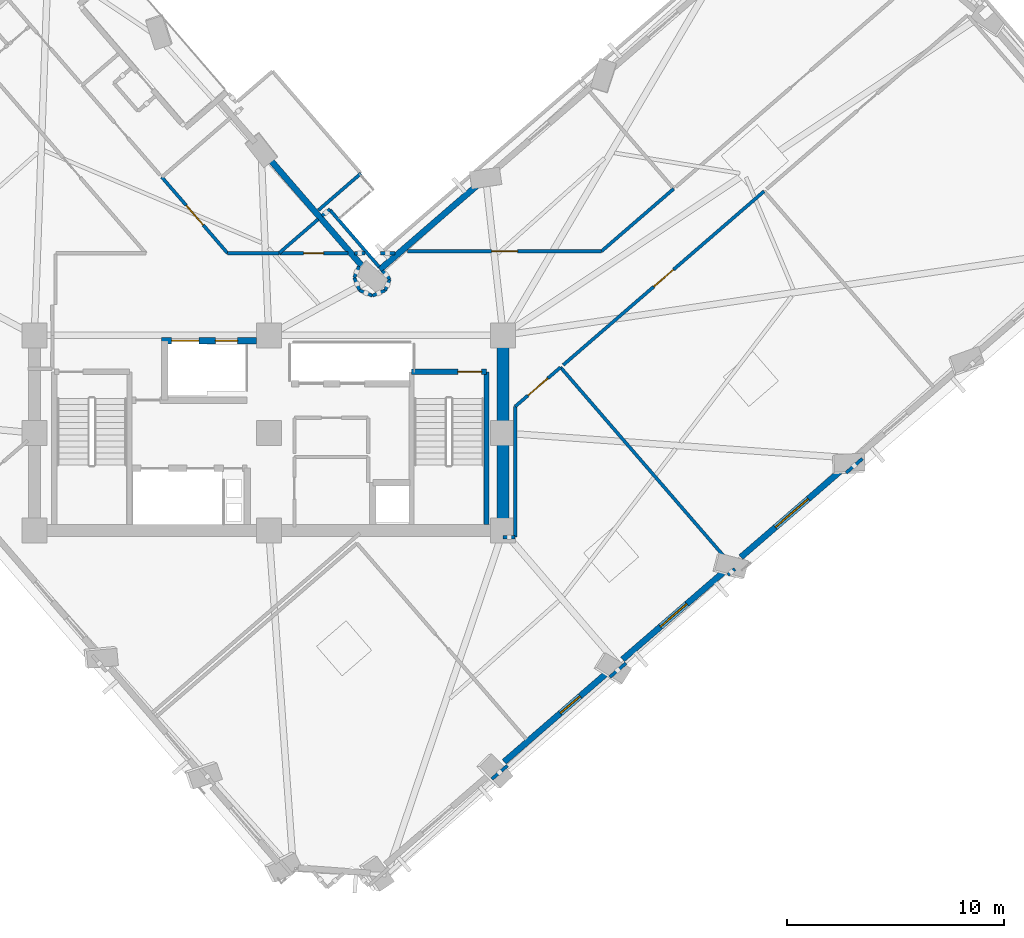
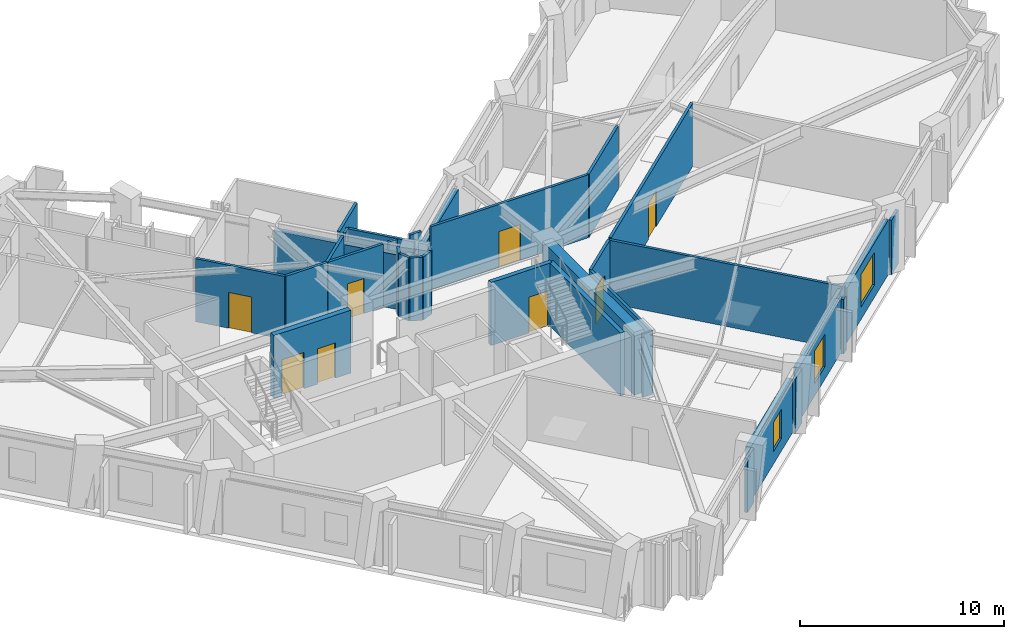
# One storey, part 7 of 14: 35 walls, 8 doors, 3 windows, 11 openings.
"""IFC4 building model written with IfcOpenShell, lengths in metres."""

from ifc_helpers import new_model, si_unit, direction, frame, frame_2d, origin, place, context, subcontext, project, spatial, rectangle, extrude, material, layer, layer_set, type_object, element, fill, save


model = new_model("IFC4")

# Units and contexts
model_context = context("Model", 3, precision=1e-05, world=origin(), true_north=direction((0.0, 1.0)))
body_context = subcontext(model_context, "Body", "Model", "MODEL_VIEW")
ifc_project = project(units=[si_unit("LENGTHUNIT", "METRE"), si_unit("AREAUNIT", "SQUARE_METRE"), si_unit("VOLUMEUNIT", "CUBIC_METRE"), si_unit("PLANEANGLEUNIT", "RADIAN"), si_unit("MASSUNIT", "GRAM", prefix="KILO")], contexts=[model_context])

# Site, building, storey
site_placement = place(None, origin())
site = spatial("IfcSite", under=ifc_project, at=site_placement, CompositionType="ELEMENT")
building_placement = place(site_placement, origin())
building = spatial("IfcBuilding", under=site, at=building_placement, Name="Gaonmaruhae Medical Tower", CompositionType="ELEMENT")
storey_placement = place(building_placement, frame((0.0, 0.0, 197.800048828125)))
storey = spatial("IfcBuildingStorey", under=building, at=storey_placement, Name="L47", CompositionType="ELEMENT", Elevation=197.800048828125)

# Wall
ifc_material_1 = material(Name="Concrete C50/60", Category="concrete")
ifc_layer_1 = layer(ifc_material_1, 0.550048828125)
ifc_layer_set_1 = layer_set([ifc_layer_1], Name="Concrete C50/60")
wall_type_1 = type_object("IfcWallType", Name="CW-550 Mid-High Core Shear Wall", PredefinedType="SHEAR", material=ifc_layer_set_1)
wall_1_placement = place(storey_placement, frame((35.60009765625, 7.800048828125, 0.0), z_axis=(0.0, 0.0, 1.0), x_axis=(0.0, 1.0, 0.0)))
element("IfcWall", 1, at=wall_1_placement, inside=storey, type_object=wall_type_1, Name="L47 Core Shear Wall CSW-E1", PredefinedType="SHEAR", context=body_context, shape_type="SweptSolid", body=[
    extrude(rectangle(XDim=9.0, YDim=0.550048828125, at=frame_2d((4.5, 0.0))), origin(), (0.0, 0.0, 1.0), 3.780029296875),
])

# Wall, opening, window
ifc_material_2 = material(Name="Precast concrete C45/55", Category="concrete")
ifc_layer_2 = layer(ifc_material_2, 0.280029296875)
ifc_layer_set_2 = layer_set([ifc_layer_2], Name="Precast concrete C45/55")
wall_type_2 = type_object("IfcWallType", Name="EW-280 Upper Precast Masonry-Frame Facade Wall", PredefinedType="SOLIDWALL", material=ifc_layer_set_2)
wall_2_placement = place(storey_placement, frame((40.35888671875, 1.229736328125, 0.0), z_axis=(0.0, 0.0, 1.0), x_axis=(-0.756435435004, -0.654068370027, 0.0)))
wall_2 = element("IfcWall", 2, at=wall_2_placement, inside=storey, type_object=wall_type_2, Name="L47 Precast Masonry-Frame Wall S02-S03", PredefinedType="SOLIDWALL", context=body_context, shape_type="SweptSolid", body=[
    extrude(rectangle(XDim=6.234375, YDim=0.280029296875, at=frame_2d((3.1171875, 0.0))), origin(), (0.0, 0.0, 1.0), 3.264892578125),
])
opening_1_placement = place(wall_2_placement, frame((1.60693359375, 0.0, 0.75)))
opening_1 = element("IfcOpeningElement", 3, at=opening_1_placement, cuts=wall_2, Name="Opening WN-05", PredefinedType="OPENING", context=body_context, shape_type="SweptSolid", body=[
    extrude(rectangle(XDim=1.199951171875, YDim=1.75, at=frame_2d((0.60009765625, 0.875))), frame((0.0, 0.14990234375, 0.0), z_axis=(0.0, -1.0, 0.0), x_axis=(1.0, 0.0, 0.0)), (0.0, 0.0, 1.0), 0.300048828125),
])
ifc_material_3 = material(Name="Anodised aluminium and Low-E double glazing", Category="aluminium")
window_type_1 = type_object("IfcWindowType", Name="WN-05 Support & Staff Punched Window 1200x1750", PartitioningType="SINGLE_PANEL", PredefinedType="WINDOW", material=ifc_material_3)
window_1_placement = place(opening_1_placement, origin())
window_1 = element("IfcWindow", 4, at=window_1_placement, inside=storey, type_object=window_type_1, Name="L47 Modular Facade Window S02", OverallHeight=1.75, OverallWidth=1.199951171875, PartitioningType="SINGLE_PANEL", PredefinedType="WINDOW", context=body_context, shape_type="SweptSolid", body=[
    extrude(rectangle(XDim=1.199951171875, YDim=1.75, at=frame_2d((0.60009765625, 0.875))), frame((0.0, 0.030029296875, 0.0), z_axis=(0.0, -1.0, 0.0), x_axis=(1.0, 0.0, 0.0)), (0.0, 0.0, 1.0), 0.06005859375),
])
fill(opening_1, window_1)

wall_3_placement = place(storey_placement, frame((45.800048828125, 5.9345703125, 0.0), z_axis=(0.0, 0.0, 1.0), x_axis=(-0.756443022553, -0.654059594862, 0.0)))
wall_3 = element("IfcWall", 5, at=wall_3_placement, inside=storey, type_object=wall_type_2, Name="L47 Precast Masonry-Frame Wall S03-S04", PredefinedType="SOLIDWALL", context=body_context, shape_type="SweptSolid", body=[
    extrude(rectangle(XDim=6.214111328125, YDim=0.280029296875, at=frame_2d((3.10693359375, 0.0))), origin(), (0.0, 0.0, 1.0), 3.264892578125),
])
opening_2_placement = place(wall_3_placement, frame((2.3056640625, 0.0, 0.75)))
opening_2 = element("IfcOpeningElement", 6, at=opening_2_placement, cuts=wall_3, Name="Opening WN-01", PredefinedType="OPENING", context=body_context, shape_type="SweptSolid", body=[
    extrude(rectangle(XDim=1.60009765625, YDim=1.949951171875, at=frame_2d((0.800048828125, 0.97509765625))), frame((0.0, 0.14990234375, 0.0), z_axis=(0.0, -1.0, 0.0), x_axis=(1.0, 0.0, 0.0)), (0.0, 0.0, 1.0), 0.300048828125),
])
window_type_2 = type_object("IfcWindowType", Name="WN-01 Ward Punched Acoustic Window 1600x1950", PartitioningType="SINGLE_PANEL", PredefinedType="WINDOW", material=ifc_material_3)
window_2_placement = place(opening_2_placement, origin())
window_2 = element("IfcWindow", 7, at=window_2_placement, inside=storey, type_object=window_type_2, Name="L47 Modular Facade Window S03", OverallHeight=1.949951171875, OverallWidth=1.60009765625, PartitioningType="SINGLE_PANEL", PredefinedType="WINDOW", context=body_context, shape_type="SweptSolid", body=[
    extrude(rectangle(XDim=1.60009765625, YDim=1.949951171875, at=frame_2d((0.800048828125, 0.97509765625))), frame((0.0, 0.030029296875, 0.0), z_axis=(0.0, -1.0, 0.0), x_axis=(1.0, 0.0, 0.0)), (0.0, 0.0, 1.0), 0.06005859375),
])
fill(opening_2, window_2)

wall_4_placement = place(storey_placement, frame((51.24658203125, 10.644287109375, 0.0), z_axis=(0.0, 0.0, 1.0), x_axis=(-0.756429422083, -0.654075323955, 0.0)))
wall_4 = element("IfcWall", 8, at=wall_4_placement, inside=storey, type_object=wall_type_2, Name="L47 Precast Masonry-Frame Wall S04-S05", PredefinedType="SOLIDWALL", context=body_context, shape_type="SweptSolid", body=[
    extrude(rectangle(XDim=6.208740234375, YDim=0.280029296875, at=frame_2d((3.1044921875, 0.0))), origin(), (0.0, 0.0, 1.0), 3.264892578125),
])
opening_3_placement = place(wall_4_placement, frame((2.104736328125, 0.0, 0.75)))
opening_3 = element("IfcOpeningElement", 9, at=opening_3_placement, cuts=wall_4, Name="Opening WN-02", PredefinedType="OPENING", context=body_context, shape_type="SweptSolid", body=[
    extrude(rectangle(XDim=2.0, YDim=1.949951171875, at=frame_2d((1.0, 0.97509765625))), frame((0.0, 0.14990234375, 0.0), z_axis=(0.0, -1.0, 0.0), x_axis=(1.0, 0.0, 0.0)), (0.0, 0.0, 1.0), 0.300048828125),
])
window_type_3 = type_object("IfcWindowType", Name="WN-02 Double-Bed Ward Punched Window 2000x1950", PartitioningType="SINGLE_PANEL", PredefinedType="WINDOW", material=ifc_material_3)
window_3_placement = place(opening_3_placement, origin())
window_3 = element("IfcWindow", 10, at=window_3_placement, inside=storey, type_object=window_type_3, Name="L47 Modular Facade Window S04", OverallHeight=1.949951171875, OverallWidth=2.0, PartitioningType="SINGLE_PANEL", PredefinedType="WINDOW", context=body_context, shape_type="SweptSolid", body=[
    extrude(rectangle(XDim=2.0, YDim=1.949951171875, at=frame_2d((1.0, 0.97509765625))), frame((0.0, 0.030029296875, 0.0), z_axis=(0.0, -1.0, 0.0), x_axis=(1.0, 0.0, 0.0)), (0.0, 0.0, 1.0), 0.06005859375),
])
fill(opening_3, window_3)

# Walls
wall_5_placement = place(storey_placement, frame((29.910400390625, 19.82470703125, 0.0), z_axis=(0.0, 0.0, 1.0), x_axis=(0.756415755537, 0.6540911288, 0.0)))
element("IfcWall", 11, at=wall_5_placement, inside=storey, type_object=wall_type_2, Name="L47 Precast Masonry-Frame Wall EN03-KN01", PredefinedType="SOLIDWALL", context=body_context, shape_type="SweptSolid", body=[
    extrude(rectangle(XDim=5.960205078125, YDim=0.280029296875, at=frame_2d((2.97998046875, 0.0))), origin(), (0.0, 0.0, 1.0), 3.06494140625),
])
wall_6_placement = place(storey_placement, frame((29.239501953125, 19.828857421875, 0.0), z_axis=(0.0, 0.0, 1.0), x_axis=(-0.654095531107, 0.756411948733, 0.0)))
element("IfcWall", 12, at=wall_6_placement, inside=storey, type_object=wall_type_2, Name="L47 Precast Masonry-Frame Wall KN01-NE01", PredefinedType="SOLIDWALL", context=body_context, shape_type="SweptSolid", body=[
    extrude(rectangle(XDim=6.760009765625, YDim=0.280029296875, at=frame_2d((3.3798828125, 0.0))), origin(), (0.0, 0.0, 1.0), 3.264892578125),
])
ifc_material_4 = material(Name="Gypsum board partition", Category="gypsum")
ifc_layer_3 = layer(ifc_material_4, 0.14990234375)
ifc_layer_set_3 = layer_set([ifc_layer_3], Name="Gypsum board partition")
wall_type_3 = type_object("IfcWallType", Name="PW-150 Rated Clinical Corridor Partition", PredefinedType="PARTITIONING", material=ifc_layer_set_3)
wall_7_placement = place(storey_placement, frame((35.79296875, -3.02197265625, 0.0), z_axis=(0.0, 0.0, 1.0), x_axis=(-0.756239540335, -0.654294855271, 0.0)))
element("IfcWall", 13, at=wall_7_placement, inside=storey, type_object=wall_type_3, Name="L47 Interior Partition L47-SUP01-12", PredefinedType="PARTITIONING", context=body_context, shape_type="SweptSolid", body=[
    extrude(rectangle(XDim=0.95068359375, YDim=0.14990234375, at=frame_2d((0.475341796875, 0.0))), origin(), (0.0, 0.0, 1.0), 3.264892578125),
])

# Wall, opening, door
wall_8_placement = place(storey_placement, frame((36.14990234375, 13.52001953125, 0.0), z_axis=(0.0, 0.0, 1.0), x_axis=(0.756475362734, 0.654022190431, 0.0)))
wall_8 = element("IfcWall", 14, at=wall_8_placement, inside=storey, type_object=wall_type_3, Name="L47 Interior Partition L47-SUP02-16", PredefinedType="PARTITIONING", context=body_context, shape_type="SweptSolid", body=[
    extrude(rectangle(XDim=2.76416015625, YDim=0.14990234375, at=frame_2d((1.382080078125, 0.0))), origin(), (0.0, 0.0, 1.0), 3.780029296875),
])
opening_4_placement = place(wall_8_placement, frame((0.781982421875, 0.0, 0.0)))
opening_4 = element("IfcOpeningElement", 15, at=opening_4_placement, cuts=wall_8, Name="Opening CD-02", PredefinedType="OPENING", context=body_context, shape_type="SweptSolid", body=[
    extrude(rectangle(XDim=1.199951171875, YDim=2.14990234375, at=frame_2d((0.60009765625, 1.074951171875))), frame((0.0, 0.0849609375, 0.0), z_axis=(0.0, -1.0, 0.0), x_axis=(1.0, 0.0, 0.0)), (0.0, 0.0, 1.0), 0.169921875),
])
ifc_material_5 = material(Name="Antimicrobial laminate timber fire door", Category="wood")
door_type_1 = type_object("IfcDoorType", Name="CD-02 Clinical Treatment & Procedure Door 1200x2150", OperationType="NOTDEFINED", PredefinedType="DOOR", material=ifc_material_5)
door_1_placement = place(opening_4_placement, origin())
door_1 = element("IfcDoor", 16, at=door_1_placement, inside=storey, type_object=door_type_1, Name="L47 Clinical Biomedical Charting Office Door", OperationType="SINGLE_SWING_RIGHT", OverallHeight=2.14990234375, OverallWidth=1.199951171875, PredefinedType="DOOR", context=body_context, shape_type="SweptSolid", body=[
    extrude(rectangle(XDim=1.199951171875, YDim=2.14990234375, at=frame_2d((0.60009765625, 1.074951171875))), frame((0.0, 0.02490234375, 0.0), z_axis=(0.0, -1.0, 0.0), x_axis=(1.0, 0.0, 0.0)), (0.0, 0.0, 1.0), 0.050048828125),
])
fill(opening_4, door_1)

# Walls
wall_9_placement = place(storey_placement, frame((38.240966796875, 15.327880859375, 0.0), z_axis=(0.0, 0.0, 1.0), x_axis=(0.654077846069, -0.756427241235, 0.0)))
element("IfcWall", 17, at=wall_9_placement, inside=storey, type_object=wall_type_3, Name="L47 Interior Partition L47-SUP02-17", PredefinedType="PARTITIONING", context=body_context, shape_type="SweptSolid", body=[
    extrude(rectangle(XDim=12.27978515625, YDim=0.14990234375, at=frame_2d((6.139892578125, 0.0))), origin(), (0.0, 0.0, 1.0), 3.780029296875),
])
wall_10_placement = place(storey_placement, frame((46.27294921875, 6.0390625, 0.0), z_axis=(0.0, 0.0, 1.0), x_axis=(-0.755726890706, -0.654886911355, 0.0)))
element("IfcWall", 18, at=wall_10_placement, inside=storey, type_object=wall_type_3, Name="L47 Interior Partition L47-SUP02-18", PredefinedType="PARTITIONING", context=body_context, shape_type="SweptSolid", body=[
    extrude(rectangle(XDim=0.426025390625, YDim=0.14990234375, at=frame_2d((0.212890625, 0.0))), origin(), (0.0, 0.0, 1.0), 3.264892578125),
])
wall_11_placement = place(storey_placement, frame((41.25, 1.696044921875, 0.0), z_axis=(0.0, 0.0, 1.0), x_axis=(-0.756223213208, -0.654313725827, 0.0)))
element("IfcWall", 19, at=wall_11_placement, inside=storey, type_object=wall_type_3, Name="L47 Interior Partition L47-SUP02-19", PredefinedType="PARTITIONING", context=body_context, shape_type="SweptSolid", body=[
    extrude(rectangle(XDim=0.979736328125, YDim=0.14990234375, at=frame_2d((0.48974609375, 0.0))), origin(), (0.0, 0.0, 1.0), 3.264892578125),
])
wall_12_placement = place(storey_placement, frame((35.60009765625, 7.5, 0.0), z_axis=(0.0, 0.0, 1.0), x_axis=(1.0, 0.0, 0.0)))
element("IfcWall", 20, at=wall_12_placement, inside=storey, type_object=wall_type_3, Name="L47 Interior Partition L47-SUP02-20", PredefinedType="PARTITIONING", context=body_context, shape_type="SweptSolid", body=[
    extrude(rectangle(XDim=0.5498046875, YDim=0.14990234375, at=frame_2d((0.27490234375, 0.0))), origin(), (0.0, 0.0, 1.0), 3.780029296875),
])
wall_13_placement = place(storey_placement, frame((36.14990234375, 7.5, 0.0), z_axis=(0.0, 0.0, 1.0), x_axis=(0.0, 1.0, 0.0)))
element("IfcWall", 21, at=wall_13_placement, inside=storey, type_object=wall_type_3, Name="L47 Interior Partition L47-SUP02-21", PredefinedType="PARTITIONING", context=body_context, shape_type="SweptSolid", body=[
    extrude(rectangle(XDim=6.02001953125, YDim=0.14990234375, at=frame_2d((3.010009765625, 0.0))), origin(), (0.0, 0.0, 1.0), 3.780029296875),
])

# Wall, opening, door
wall_14_placement = place(storey_placement, frame((38.362060546875, 15.43310546875, 0.0), z_axis=(0.0, 0.0, 1.0), x_axis=(0.756407982528, 0.654100117694, 0.0)))
wall_14 = element("IfcWall", 22, at=wall_14_placement, inside=storey, type_object=wall_type_3, Name="L47 Interior Partition L47-SUP03-22", PredefinedType="PARTITIONING", context=body_context, shape_type="SweptSolid", body=[
    extrude(rectangle(XDim=12.239501953125, YDim=0.14990234375, at=frame_2d((6.11962890625, 0.0))), origin(), (0.0, 0.0, 1.0), 3.780029296875),
])
opening_5_placement = place(wall_14_placement, frame((5.519775390625, 0.0, 0.0)))
opening_5 = element("IfcOpeningElement", 23, at=opening_5_placement, cuts=wall_14, Name="Opening CD-02", PredefinedType="OPENING", context=body_context, shape_type="SweptSolid", body=[
    extrude(rectangle(XDim=1.199951171875, YDim=2.14990234375, at=frame_2d((0.60009765625, 1.074951171875))), frame((0.0, 0.0849609375, 0.0), z_axis=(0.0, -1.0, 0.0), x_axis=(1.0, 0.0, 0.0)), (0.0, 0.0, 1.0), 0.169921875),
])
door_2_placement = place(opening_5_placement, origin())
door_2 = element("IfcDoor", 24, at=door_2_placement, inside=storey, type_object=door_type_1, Name="L47 Clinical Biomedical Charting Office Door", OperationType="SINGLE_SWING_LEFT", OverallHeight=2.14990234375, OverallWidth=1.199951171875, PredefinedType="DOOR", context=body_context, shape_type="SweptSolid", body=[
    extrude(rectangle(XDim=1.199951171875, YDim=2.14990234375, at=frame_2d((0.60009765625, 1.074951171875))), frame((0.0, 0.02490234375, 0.0), z_axis=(0.0, -1.0, 0.0), x_axis=(1.0, 0.0, 0.0)), (0.0, 0.0, 1.0), 0.050048828125),
])
fill(opening_5, door_2)

# Walls
wall_15_placement = place(storey_placement, frame((52.14501953125, 11.117919921875, 0.0), z_axis=(0.0, 0.0, 1.0), x_axis=(-0.755868126294, -0.654723892685, 0.0)))
element("IfcWall", 25, at=wall_15_placement, inside=storey, type_object=wall_type_3, Name="L47 Interior Partition L47-SUP03-24", PredefinedType="PARTITIONING", context=body_context, shape_type="SweptSolid", body=[
    extrude(rectangle(XDim=0.98974609375, YDim=0.14990234375, at=frame_2d((0.494873046875, 0.0))), origin(), (0.0, 0.0, 1.0), 3.264892578125),
])
wall_16_placement = place(storey_placement, frame((30.60791015625, 20.580078125, 0.0), z_axis=(0.0, 0.0, 1.0), x_axis=(-1.0, 0.0, 0.0)))
element("IfcWall", 26, at=wall_16_placement, inside=storey, type_object=wall_type_3, Name="L47 Interior Partition L47-IE01-46", PredefinedType="PARTITIONING", context=body_context, shape_type="SweptSolid", body=[
    extrude(rectangle(XDim=0.664794921875, YDim=0.14990234375, at=frame_2d((0.33251953125, 0.0))), origin(), (0.0, 0.0, 1.0), 3.780029296875),
])
wall_17_placement = place(storey_placement, frame((43.4560546875, 23.552978515625, 0.0), z_axis=(0.0, 0.0, 1.0), x_axis=(-0.75636911902, -0.654145057149, 0.0)))
element("IfcWall", 27, at=wall_17_placement, inside=storey, type_object=wall_type_3, Name="L47 Interior Partition L47-IE01-50", PredefinedType="PARTITIONING", context=body_context, shape_type="SweptSolid", body=[
    extrude(rectangle(XDim=4.39208984375, YDim=0.14990234375, at=frame_2d((2.196044921875, 0.0))), origin(), (0.0, 0.0, 1.0), 3.780029296875),
])

# Wall, opening, door
wall_18_placement = place(storey_placement, frame((40.134033203125, 20.679931640625, 0.0), z_axis=(0.0, 0.0, 1.0), x_axis=(-1.0, 0.0, 0.0)))
wall_18 = element("IfcWall", 28, at=wall_18_placement, inside=storey, type_object=wall_type_3, Name="L47 Interior Partition L47-IE01-51", PredefinedType="PARTITIONING", context=body_context, shape_type="SweptSolid", body=[
    extrude(rectangle(XDim=8.93701171875, YDim=0.14990234375, at=frame_2d((4.468505859375, 0.0))), origin(), (0.0, 0.0, 1.0), 3.780029296875),
])
opening_6_placement = place(wall_18_placement, frame((3.868408203125, 0.0, 0.0)))
opening_6 = element("IfcOpeningElement", 29, at=opening_6_placement, cuts=wall_18, Name="Opening CD-02", PredefinedType="OPENING", context=body_context, shape_type="SweptSolid", body=[
    extrude(rectangle(XDim=1.199951171875, YDim=2.14990234375, at=frame_2d((0.60009765625, 1.074951171875))), frame((0.0, 0.0849609375, 0.0), z_axis=(0.0, -1.0, 0.0), x_axis=(1.0, 0.0, 0.0)), (0.0, 0.0, 1.0), 0.169921875),
])
door_3_placement = place(opening_6_placement, origin())
door_3 = element("IfcDoor", 30, at=door_3_placement, inside=storey, type_object=door_type_1, Name="L47 Central Clinical Nurse Station Door", OperationType="SINGLE_SWING_LEFT", OverallHeight=2.14990234375, OverallWidth=1.199951171875, PredefinedType="DOOR", context=body_context, shape_type="SweptSolid", body=[
    extrude(rectangle(XDim=1.199951171875, YDim=2.14990234375, at=frame_2d((0.60009765625, 1.074951171875))), frame((0.0, 0.02490234375, 0.0), z_axis=(0.0, -1.0, 0.0), x_axis=(1.0, 0.0, 0.0)), (0.0, 0.0, 1.0), 0.050048828125),
])
fill(opening_6, door_3)

# Walls
wall_19_placement = place(storey_placement, frame((27.62109375, 22.617919921875, 0.0), z_axis=(0.0, 0.0, 1.0), x_axis=(-0.75704932423, -0.653357727959, 0.0)))
element("IfcWall", 31, at=wall_19_placement, inside=storey, type_object=wall_type_3, Name="L47 Interior Partition L47-IN01-61", PredefinedType="PARTITIONING", context=body_context, shape_type="SweptSolid", body=[
    extrude(rectangle(XDim=0.485107421875, YDim=0.14990234375, at=frame_2d((0.24267578125, 0.0))), origin(), (0.0, 0.0, 1.0), 3.780029296875),
])
wall_20_placement = place(storey_placement, frame((27.080078125, 22.14990234375, 0.0), z_axis=(0.0, 0.0, 1.0), x_axis=(-0.756550817831, -0.653934905048, 0.0)))
element("IfcWall", 32, at=wall_20_placement, inside=storey, type_object=wall_type_3, Name="L47 Interior Partition L47-IN01-62", PredefinedType="PARTITIONING", context=body_context, shape_type="SweptSolid", body=[
    extrude(rectangle(XDim=2.400634765625, YDim=0.14990234375, at=frame_2d((1.2001953125, 0.0))), origin(), (0.0, 0.0, 1.0), 3.780029296875),
])
wall_21_placement = place(storey_placement, frame((25.263916015625, 20.580078125, 0.0), z_axis=(0.0, 0.0, 1.0), x_axis=(-1.0, 0.0, 0.0)))
element("IfcWall", 33, at=wall_21_placement, inside=storey, type_object=wall_type_3, Name="L47 Interior Partition L47-IN01-63", PredefinedType="PARTITIONING", context=body_context, shape_type="SweptSolid", body=[
    extrude(rectangle(XDim=2.35888671875, YDim=0.14990234375, at=frame_2d((1.179443359375, 0.0))), origin(), (0.0, 0.0, 1.0), 3.780029296875),
])

# Wall, opening, door
wall_22_placement = place(storey_placement, frame((22.905029296875, 20.580078125, 0.0), z_axis=(0.0, 0.0, 1.0), x_axis=(-0.654154375425, 0.756361060018, 0.0)))
wall_22 = element("IfcWall", 34, at=wall_22_placement, inside=storey, type_object=wall_type_3, Name="L47 Interior Partition L47-IN01-64", PredefinedType="PARTITIONING", context=body_context, shape_type="SweptSolid", body=[
    extrude(rectangle(XDim=4.636474609375, YDim=0.14990234375, at=frame_2d((2.318359375, 0.0))), origin(), (0.0, 0.0, 1.0), 3.780029296875),
])
opening_7_placement = place(wall_22_placement, frame((1.71826171875, 0.0, 0.0)))
opening_7 = element("IfcOpeningElement", 35, at=opening_7_placement, cuts=wall_22, Name="Opening CD-02", PredefinedType="OPENING", context=body_context, shape_type="SweptSolid", body=[
    extrude(rectangle(XDim=1.199951171875, YDim=2.14990234375, at=frame_2d((0.60009765625, 1.074951171875))), frame((0.0, 0.0849609375, 0.0), z_axis=(0.0, -1.0, 0.0), x_axis=(1.0, 0.0, 0.0)), (0.0, 0.0, 1.0), 0.169921875),
])
door_4_placement = place(opening_7_placement, origin())
door_4 = element("IfcDoor", 36, at=door_4_placement, inside=storey, type_object=door_type_1, Name="L47 Physician Consultation Office Door", OperationType="SINGLE_SWING_LEFT", OverallHeight=2.14990234375, OverallWidth=1.199951171875, PredefinedType="DOOR", context=body_context, shape_type="SweptSolid", body=[
    extrude(rectangle(XDim=1.199951171875, YDim=2.14990234375, at=frame_2d((0.60009765625, 1.074951171875))), frame((0.0, 0.02490234375, 0.0), z_axis=(0.0, -1.0, 0.0), x_axis=(1.0, 0.0, 0.0)), (0.0, 0.0, 1.0), 0.050048828125),
])
fill(opening_7, door_4)

# Walls
wall_23_placement = place(storey_placement, frame((27.611083984375, 22.5830078125, 0.0), z_axis=(0.0, 0.0, 1.0), x_axis=(0.654036787696, -0.756462742203, 0.0)))
element("IfcWall", 37, at=wall_23_placement, inside=storey, type_object=wall_type_3, Name="L47 Interior Partition L47-RM03-81", PredefinedType="PARTITIONING", context=body_context, shape_type="SweptSolid", body=[
    extrude(rectangle(XDim=3.475341796875, YDim=0.14990234375, at=frame_2d((1.73779296875, 0.0))), origin(), (0.0, 0.0, 1.0), 3.780029296875),
])
wall_24_placement = place(storey_placement, frame((30.033935546875, 19.780029296875, 0.0), z_axis=(0.0, 0.0, 1.0), x_axis=(0.654448859081, -0.756106269547, 0.0)))
element("IfcWall", 38, at=wall_24_placement, inside=storey, type_object=wall_type_3, Name="L47 Interior Partition L47-RM03-82", PredefinedType="PARTITIONING", context=body_context, shape_type="SweptSolid", body=[
    extrude(rectangle(XDim=0.521240234375, YDim=0.14990234375, at=frame_2d((0.2607421875, 0.0))), origin(), (0.0, 0.0, 1.0), 3.780029296875),
])
wall_25_placement = place(storey_placement, frame((30.375, 19.385986328125, 0.0), z_axis=(0.0, 0.0, 1.0), x_axis=(-0.382713570591, -0.923867048273, 0.0)))
element("IfcWall", 39, at=wall_25_placement, inside=storey, type_object=wall_type_3, Name="L47 Interior Partition L47-RM03-83", PredefinedType="PARTITIONING", context=body_context, shape_type="SweptSolid", body=[
    extrude(rectangle(XDim=0.55615234375, YDim=0.14990234375, at=frame_2d((0.278076171875, 0.0))), origin(), (0.0, 0.0, 1.0), 3.780029296875),
])
wall_26_placement = place(storey_placement, frame((30.162109375, 18.8720703125, 0.0), z_axis=(0.0, 0.0, 1.0), x_axis=(-0.92326925104, -0.384153472045, 0.0)))
element("IfcWall", 40, at=wall_26_placement, inside=storey, type_object=wall_type_3, Name="L47 Interior Partition L47-RM03-84", PredefinedType="PARTITIONING", context=body_context, shape_type="SweptSolid", body=[
    extrude(rectangle(XDim=0.63818359375, YDim=0.14990234375, at=frame_2d((0.319091796875, 0.0))), origin(), (0.0, 0.0, 1.0), 3.780029296875),
])
wall_27_placement = place(storey_placement, frame((29.572998046875, 18.626953125, 0.0), z_axis=(0.0, 0.0, 1.0), x_axis=(-0.923494633817, 0.383611341478, 0.0)))
element("IfcWall", 41, at=wall_27_placement, inside=storey, type_object=wall_type_3, Name="L47 Interior Partition L47-RM03-85", PredefinedType="PARTITIONING", context=body_context, shape_type="SweptSolid", body=[
    extrude(rectangle(XDim=0.638916015625, YDim=0.14990234375, at=frame_2d((0.3193359375, 0.0))), origin(), (0.0, 0.0, 1.0), 3.780029296875),
])
wall_28_placement = place(storey_placement, frame((28.98291015625, 18.8720703125, 0.0), z_axis=(0.0, 0.0, 1.0), x_axis=(-0.382656259044, 0.923890787601, 0.0)))
element("IfcWall", 42, at=wall_28_placement, inside=storey, type_object=wall_type_3, Name="L47 Interior Partition L47-RM03-86", PredefinedType="PARTITIONING", context=body_context, shape_type="SweptSolid", body=[
    extrude(rectangle(XDim=0.637451171875, YDim=0.14990234375, at=frame_2d((0.31884765625, 0.0))), origin(), (0.0, 0.0, 1.0), 3.780029296875),
])
wall_29_placement = place(storey_placement, frame((28.739013671875, 19.4609375, 0.0), z_axis=(0.0, 0.0, 1.0), x_axis=(0.383078082641, 0.923715964244, 0.0)))
element("IfcWall", 43, at=wall_29_placement, inside=storey, type_object=wall_type_3, Name="L47 Interior Partition L47-RM03-87", PredefinedType="PARTITIONING", context=body_context, shape_type="SweptSolid", body=[
    extrude(rectangle(XDim=0.56396484375, YDim=0.14990234375, at=frame_2d((0.281982421875, 0.0))), origin(), (0.0, 0.0, 1.0), 3.780029296875),
])
wall_30_placement = place(storey_placement, frame((29.23388671875, 20.577880859375, 0.0), z_axis=(0.0, 0.0, 1.0), x_axis=(-1.0, 0.0, 0.0)))
element("IfcWall", 44, at=wall_30_placement, inside=storey, type_object=wall_type_3, Name="L47 Interior Partition L47-RM03-88", PredefinedType="PARTITIONING", context=body_context, shape_type="SweptSolid", body=[
    extrude(rectangle(XDim=0.490966796875, YDim=0.14990234375, at=frame_2d((0.24560546875, 0.0))), origin(), (0.0, 0.0, 1.0), 3.780029296875),
])

# Wall, opening, door
wall_31_placement = place(storey_placement, frame((28.43896484375, 20.577880859375, 0.0), z_axis=(0.0, 0.0, 1.0), x_axis=(-0.999999755793, 0.000698866113, 0.0)))
wall_31 = element("IfcWall", 45, at=wall_31_placement, inside=storey, type_object=wall_type_3, Name="L47 Interior Partition L47-RM03-89", PredefinedType="PARTITIONING", context=body_context, shape_type="SweptSolid", body=[
    extrude(rectangle(XDim=3.14404296875, YDim=0.14990234375, at=frame_2d((1.572021484375, 0.0))), origin(), (0.0, 0.0, 1.0), 3.780029296875),
])
opening_8_placement = place(wall_31_placement, frame((1.112060546875, 0.0, 0.0)))
opening_8 = element("IfcOpeningElement", 46, at=opening_8_placement, cuts=wall_31, Name="Opening UD-01", PredefinedType="OPENING", context=body_context, shape_type="SweptSolid", body=[
    extrude(rectangle(XDim=0.919921875, YDim=2.10009765625, at=frame_2d((0.4599609375, 1.050048828125))), frame((0.0, 0.0849609375, 0.0), z_axis=(0.0, -1.0, 0.0), x_axis=(1.0, 0.0, 0.0)), (0.0, 0.0, 1.0), 0.169921875),
])
ifc_material_6 = material(Name="Powder-coated steel utility door", Category="steel")
door_type_2 = type_object("IfcDoorType", Name="UD-01 Toilet, Utility & Housekeeping Door 920x2100", OperationType="NOTDEFINED", PredefinedType="DOOR", material=ifc_material_6)
door_5_placement = place(opening_8_placement, origin())
door_5 = element("IfcDoor", 47, at=door_5_placement, inside=storey, type_object=door_type_2, Name="L47 Biomedical Mobile Equipment Bay Door", OperationType="SINGLE_SWING_LEFT", OverallHeight=2.10009765625, OverallWidth=0.919921875, PredefinedType="DOOR", context=body_context, shape_type="SweptSolid", body=[
    extrude(rectangle(XDim=0.919921875, YDim=2.10009765625, at=frame_2d((0.4599609375, 1.050048828125))), frame((0.0, 0.02490234375, 0.0), z_axis=(0.0, -1.0, 0.0), x_axis=(1.0, 0.0, 0.0)), (0.0, 0.0, 1.0), 0.050048828125),
])
fill(opening_8, door_5)

# Wall
wall_32_placement = place(storey_placement, frame((29.044921875, 24.259033203125, 0.0), z_axis=(0.0, 0.0, 1.0), x_axis=(-0.756369471886, -0.654144649141, 0.0)))
element("IfcWall", 48, at=wall_32_placement, inside=storey, type_object=wall_type_3, Name="L47 Interior Partition L47-RM05-92", PredefinedType="PARTITIONING", context=body_context, shape_type="SweptSolid", body=[
    extrude(rectangle(XDim=2.59130859375, YDim=0.14990234375, at=frame_2d((1.295654296875, 0.0))), origin(), (0.0, 0.0, 1.0), 3.780029296875),
])

# Wall, opening, door
ifc_layer_4 = layer(ifc_material_1, 0.239990234375)
ifc_layer_set_4 = layer_set([ifc_layer_4], Name="Concrete C50/60")
wall_type_4 = type_object("IfcWallType", Name="SW-240 Dogleg Stair Tight Shaft Wall", PredefinedType="SOLIDWALL", material=ifc_layer_set_4)
wall_33_placement = place(storey_placement, frame((31.3701171875, 15.1201171875, 0.0), z_axis=(0.0, 0.0, 1.0), x_axis=(1.0, 0.0, 0.0)))
wall_33 = element("IfcWall", 49, at=wall_33_placement, inside=storey, type_object=wall_type_4, Name="L47 ST-02 Stair Shaft Wall SHW-ST-02-N", PredefinedType="SOLIDWALL", context=body_context, shape_type="SweptSolid", body=[
    extrude(rectangle(XDim=3.4599609375, YDim=0.239990234375, at=frame_2d((1.72998046875, 0.0))), origin(), (0.0, 0.0, 1.0), 3.780029296875),
])
opening_9_placement = place(wall_33_placement, frame((2.139892578125, 0.0, 0.0)))
opening_9 = element("IfcOpeningElement", 50, at=opening_9_placement, cuts=wall_33, Name="Opening FD-01", PredefinedType="OPENING", context=body_context, shape_type="SweptSolid", body=[
    extrude(rectangle(XDim=1.10009765625, YDim=2.14990234375, at=frame_2d((0.550048828125, 1.074951171875))), frame((0.0, 0.1298828125, 0.0), z_axis=(0.0, -1.0, 0.0), x_axis=(1.0, 0.0, 0.0)), (0.0, 0.0, 1.0), 0.260009765625),
])
ifc_material_7 = material(Name="Powder-coated steel fire door", Category="steel")
door_type_3 = type_object("IfcDoorType", Name="FD-01 Escape Stair Protected Fire Door 1100x2150", OperationType="NOTDEFINED", PredefinedType="DOOR", material=ifc_material_7)
door_6_placement = place(opening_9_placement, origin())
door_6 = element("IfcDoor", 51, at=door_6_placement, inside=storey, type_object=door_type_3, Name="L47 ST-02 Protected Escape Stair Door", OperationType="SINGLE_SWING_LEFT", OverallHeight=2.14990234375, OverallWidth=1.10009765625, PredefinedType="DOOR", context=body_context, shape_type="SweptSolid", body=[
    extrude(rectangle(XDim=1.10009765625, YDim=2.14990234375, at=frame_2d((0.550048828125, 1.074951171875))), frame((0.0, 0.02490234375, 0.0), z_axis=(0.0, -1.0, 0.0), x_axis=(1.0, 0.0, 0.0)), (0.0, 0.0, 1.0), 0.050048828125),
])
fill(opening_9, door_6)

# Wall
wall_34_placement = place(storey_placement, frame((34.830078125, 15.1201171875, 0.0), z_axis=(0.0, 0.0, 1.0), x_axis=(0.0, -1.0, 0.0)))
element("IfcWall", 52, at=wall_34_placement, inside=storey, type_object=wall_type_4, Name="L47 ST-02 Stair Shaft Wall SHW-ST-02-E", PredefinedType="SOLIDWALL", context=body_context, shape_type="SweptSolid", body=[
    extrude(rectangle(XDim=7.045166015625, YDim=0.239990234375, at=frame_2d((3.5224609375, 0.0))), origin(), (0.0, 0.0, 1.0), 3.780029296875),
])

# Wall, openings, doors
ifc_layer_5 = layer(ifc_material_1, 0.300048828125)
ifc_layer_set_5 = layer_set([ifc_layer_5], Name="Concrete C50/60")
wall_type_5 = type_object("IfcWallType", Name="SW-300 Stair & Lift Hoistway Shaft Wall", PredefinedType="SOLIDWALL", material=ifc_layer_set_5)
wall_35_placement = place(storey_placement, frame((19.85009765625, 16.550048828125, 0.0), z_axis=(0.0, 0.0, 1.0), x_axis=(1.0, 0.0, 0.0)))
wall_35 = element("IfcWall", 53, at=wall_35_placement, inside=storey, type_object=wall_type_5, Name="L47 Core Shear Wall CSW-NB", PredefinedType="SOLIDWALL", context=body_context, shape_type="SweptSolid", body=[
    extrude(rectangle(XDim=4.375, YDim=0.300048828125, at=frame_2d((2.1875, 0.0))), origin(), (0.0, 0.0, 1.0), 3.780029296875),
])
opening_10_placement = place(wall_35_placement, frame((0.47509765625, 0.0, 0.0)))
opening_10 = element("IfcOpeningElement", 54, at=opening_10_placement, cuts=wall_35, Name="Opening LD-F1", PredefinedType="OPENING", context=body_context, shape_type="SweptSolid", body=[
    extrude(rectangle(XDim=1.25, YDim=2.179931640625, at=frame_2d((0.625, 1.08984375))), frame((0.0, 0.16015625, 0.0), z_axis=(0.0, -1.0, 0.0), x_axis=(1.0, 0.0, 0.0)), (0.0, 0.0, 1.0), 0.320068359375),
])
opening_11_placement = place(wall_35_placement, frame((2.489990234375, 0.0, 0.0)))
opening_11 = element("IfcOpeningElement", 55, at=opening_11_placement, cuts=wall_35, Name="Opening LD-S1", PredefinedType="OPENING", context=body_context, shape_type="SweptSolid", body=[
    extrude(rectangle(XDim=1.02001953125, YDim=2.1201171875, at=frame_2d((0.510009765625, 1.06005859375))), frame((0.0, 0.16015625, 0.0), z_axis=(0.0, -1.0, 0.0), x_axis=(1.0, 0.0, 0.0)), (0.0, 0.0, 1.0), 0.320068359375),
])
ifc_material_8 = material(Name="Brushed stainless steel 316L landing door", Category="steel")
door_type_4 = type_object("IfcDoorType", Name="LD-F1 Firefighting & Bed Lift Sliding Landing Door 1250x2180", OperationType="NOTDEFINED", PredefinedType="DOOR", material=ifc_material_8)
door_7_placement = place(opening_10_placement, origin())
door_7 = element("IfcDoor", 56, at=door_7_placement, inside=storey, type_object=door_type_4, Name="L47 Service/Bed Lift Landing Door BDL-01", OperationType="DOUBLE_DOOR_SLIDING", OverallHeight=2.179931640625, OverallWidth=1.25, PredefinedType="DOOR", context=body_context, shape_type="SweptSolid", body=[
    extrude(rectangle(XDim=1.25, YDim=2.179931640625, at=frame_2d((0.625, 1.08984375))), frame((0.0, 0.02490234375, 0.0), z_axis=(0.0, -1.0, 0.0), x_axis=(1.0, 0.0, 0.0)), (0.0, 0.0, 1.0), 0.050048828125),
])
fill(opening_10, door_7)
ifc_material_9 = material(Name="Brushed stainless steel 304 landing door", Category="steel")
door_type_5 = type_object("IfcDoorType", Name="LD-S1 Service Lift Sliding Landing Door 1020x2120", OperationType="NOTDEFINED", PredefinedType="DOOR", material=ifc_material_9)
door_8_placement = place(opening_11_placement, origin())
door_8 = element("IfcDoor", 57, at=door_8_placement, inside=storey, type_object=door_type_5, Name="L47 Service/Bed Lift Landing Door SVL-01", OperationType="SLIDING_TO_LEFT", OverallHeight=2.1201171875, OverallWidth=1.02001953125, PredefinedType="DOOR", context=body_context, shape_type="SweptSolid", body=[
    extrude(rectangle(XDim=1.02001953125, YDim=2.1201171875, at=frame_2d((0.510009765625, 1.06005859375))), frame((0.0, 0.02490234375, 0.0), z_axis=(0.0, -1.0, 0.0), x_axis=(1.0, 0.0, 0.0)), (0.0, 0.0, 1.0), 0.050048828125),
])
fill(opening_11, door_8)

save(model, "model.ifc")
